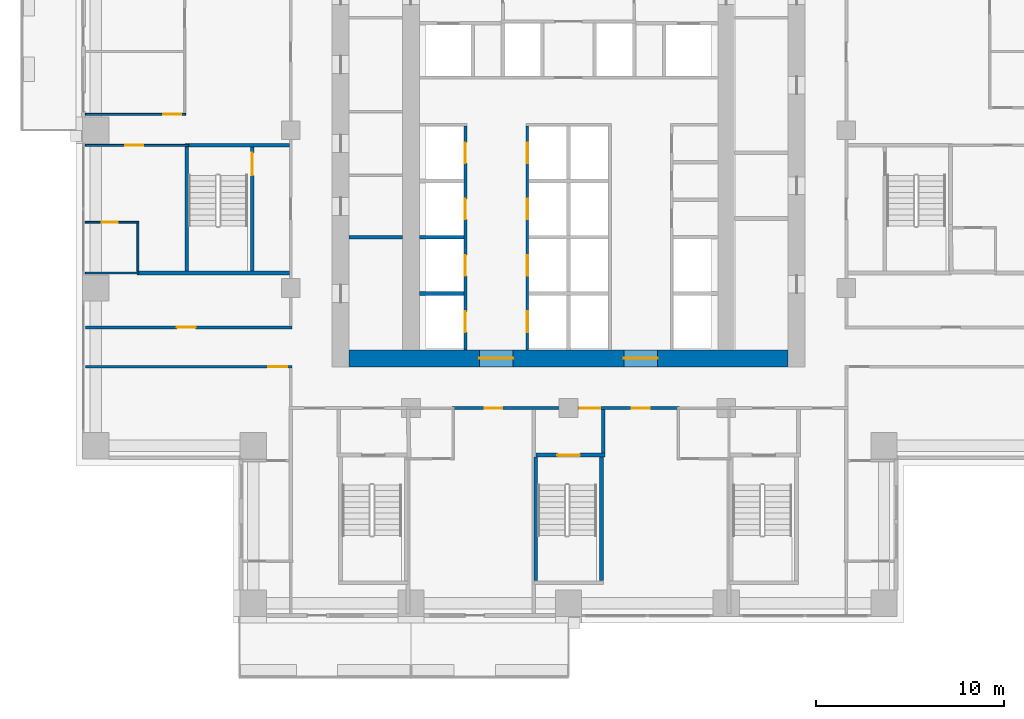
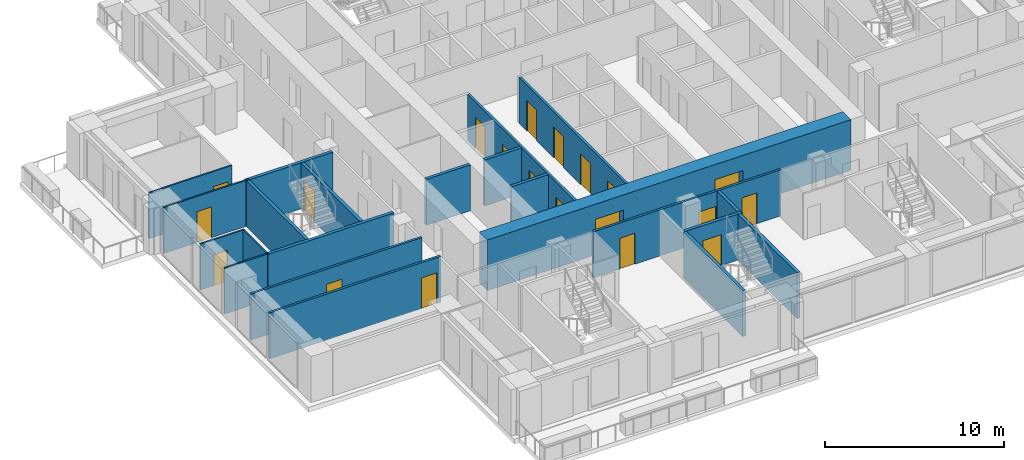
# One storey, part 7 of 16: 22 walls, 20 doors, 20 openings.
"""IFC4 building model written with IfcOpenShell, lengths in metres."""

import ifcopenshell
import ifcopenshell.guid

model = None  # the IFC model being written
_history = None  # IfcOwnerHistory: only IFC2X3 demands one
_inside = {}  # id of a spatial element -> (the spatial element, [elements in it])
_under = {}  # id of a project, library or spatial element -> (it, [spatial elements below it])
_declared = {}  # id of a project -> (the project, [libraries it declares])
_typed = {}  # id of a type object -> (the type object, [elements of that type])
_made_of = {}  # id of a material, layer set ... -> (it, [elements and type objects made of it])


def new_model(schema):
    """Start an empty IFC model of exactly this schema.

    Asked for "IFC4X3", IfcOpenShell would pick the latest addendum, in which some entities
    have other attributes; the version numbers below select the first issue.
    IFC2X3 requires an IfcOwnerHistory on every rooted entity: one is made here for all.
    """
    global model, _history
    if schema == "IFC4X3":
        model = ifcopenshell.file(schema_version=(4, 3, 0, 0))
    else:
        model = ifcopenshell.file(schema=schema)
    _inside.clear()
    _under.clear()
    _declared.clear()
    _typed.clear()
    _made_of.clear()
    _history = None
    if model.schema == "IFC2X3":
        org = make("IfcOrganization", Name="unknown")
        user = make(
            "IfcPersonAndOrganization",
            ThePerson=make("IfcPerson", FamilyName="unknown"),
            TheOrganization=org,
        )
        app = make(
            "IfcApplication",
            ApplicationDeveloper=org,
            Version="unknown",
            ApplicationFullName="unknown",
            ApplicationIdentifier="unknown",
        )
        _history = make(
            "IfcOwnerHistory",
            OwningUser=user,
            OwningApplication=app,
            ChangeAction="ADDED",
            CreationDate=0,
        )
    return model


def make(cls, **values):
    """One entity of the class cls with the attributes given. An attribute that is None is left unset."""
    return model.create_entity(
        cls, **{name: value for name, value in values.items() if value is not None}
    )


def rooted(cls, **values):
    """An entity with a GlobalId (a new one), such as an element, a storey or a relation."""
    return make(cls, GlobalId=ifcopenshell.guid.new(), OwnerHistory=_history, **values)


def si_unit(unit_type, name, prefix=None):
    """IfcSIUnit, for example si_unit("LENGTHUNIT", "METRE", prefix="MILLI")."""
    return make("IfcSIUnit", UnitType=unit_type, Prefix=prefix, Name=name)


def assignment(units):
    """IfcUnitAssignment: the units of a project."""
    return None if units is None else make("IfcUnitAssignment", Units=units)


def point(xyz):
    """IfcCartesianPoint."""
    return None if xyz is None else make("IfcCartesianPoint", Coordinates=xyz)


def direction(xyz):
    """IfcDirection."""
    return None if xyz is None else make("IfcDirection", DirectionRatios=xyz)


def frame(location, z_axis=None, x_axis=None):
    """IfcAxis2Placement3D, a coordinate frame: its origin and axes. An axis left out is left unset."""
    return make(
        "IfcAxis2Placement3D",
        Location=point(location),
        Axis=direction(z_axis),
        RefDirection=direction(x_axis),
    )


def frame_2d(location, x_axis=None):
    """IfcAxis2Placement2D, a coordinate frame in the plane: its origin and x axis."""
    return make(
        "IfcAxis2Placement2D", Location=point(location), RefDirection=direction(x_axis)
    )


def origin():
    """The frame at (0, 0, 0) with its axes left unset."""
    return frame((0.0, 0.0, 0.0))


def place(relative_to, where):
    """IfcLocalPlacement: puts the frame where relative to a parent placement (None: the world)."""
    return make(
        "IfcLocalPlacement", PlacementRelTo=relative_to, RelativePlacement=where
    )


def context(
    kind, dimensions, precision=None, world=None, true_north=None, identifier=None
):
    """IfcGeometricRepresentationContext, for example the 3D "Model" context."""
    return make(
        "IfcGeometricRepresentationContext",
        ContextIdentifier=identifier,
        ContextType=kind,
        CoordinateSpaceDimension=dimensions,
        Precision=precision,
        WorldCoordinateSystem=world,
        TrueNorth=true_north,
    )


def subcontext(parent, identifier, kind, view, scale=None):
    """IfcGeometricRepresentationSubContext, for example "Body" below "Model"."""
    return make(
        "IfcGeometricRepresentationSubContext",
        ContextIdentifier=identifier,
        ContextType=kind,
        ParentContext=parent,
        TargetScale=scale,
        TargetView=view,
    )


def project(units=None, contexts=None):
    """IfcProject with its units and contexts."""
    return rooted(
        "IfcProject",
        Name="project",
        RepresentationContexts=contexts,
        UnitsInContext=assignment(units),
    )


def spatial(cls, under=None, at=None, **own):
    """A site, building, storey or space (cls), placed at a placement, below another one or the project."""
    s = rooted(cls, ObjectPlacement=at, **own)
    if under is not None:
        _under.setdefault(under.id(), (under, []))[1].append(s)
    return s


def profile(cls, at=None, kind="AREA", **sizes):
    """A parametric profile (cls). Its sizes go by their IFC names, for example OverallWidth=200.0."""
    return make(cls, ProfileType=kind, Position=at, **sizes)


def rectangle(**sizes):
    """IfcRectangleProfileDef."""
    return profile("IfcRectangleProfileDef", **sizes)


def extrude(swept, where, along, depth):
    """IfcExtrudedAreaSolid: the profile swept, set in the frame where, extruded along a direction by depth."""
    return make(
        "IfcExtrudedAreaSolid",
        SweptArea=swept,
        Position=where,
        ExtrudedDirection=direction(along),
        Depth=depth,
    )


def shape(context_of_items, identifier, shape_type, items):
    """IfcShapeRepresentation: the items that make up one representation, for example the "Body"."""
    return make(
        "IfcShapeRepresentation",
        ContextOfItems=context_of_items,
        RepresentationIdentifier=identifier,
        RepresentationType=shape_type,
        Items=items,
    )


def material(Name=None, Category=None):
    """IfcMaterial."""
    return make("IfcMaterial", Name=Name, Category=Category)


def layer(
    of_material, thickness, ventilated=None, Name=None, Category=None, Priority=None
):
    """IfcMaterialLayer: one layer of a wall or slab, of a material (None: an air gap)."""
    return make(
        "IfcMaterialLayer",
        Material=of_material,
        LayerThickness=thickness,
        IsVentilated=ventilated,
        Name=Name,
        Category=Category,
        Priority=Priority,
    )


def layer_set(layers, Name=None):
    """IfcMaterialLayerSet."""
    return make("IfcMaterialLayerSet", MaterialLayers=layers, LayerSetName=Name)


def made_of(thing, what):
    """Note that an element or type object is made of a material, layer set ...; save() writes the relation."""
    if what is not None:
        _made_of.setdefault(what.id(), (what, []))[1].append(thing)
    return thing


def type_object(cls, material=None, **own):
    """A type object (cls), such as IfcWallType, which elements share."""
    return made_of(rooted(cls, **own), material)


def element(
    cls,
    number,
    at=None,
    inside=None,
    cuts=None,
    type_object=None,
    material=None,
    context=None,
    identifier="Body",
    shape_type=None,
    held_by="IfcProductDefinitionShape",
    body=None,
    shapes=None,
    **own,
):
    """One element of the class cls, such as IfcWall. Its Tag is "e" and its number.

    at: its placement. inside: the storey or other place that contains it. cuts: it is an
    opening in that element (IfcRelVoidsElement). A single representation is given by context,
    identifier, shape_type and body (its items); several are given by shapes. held_by: the class
    of the entity that holds the representations. save() writes the other relations.
    """
    e = rooted(cls, Tag="e%d" % number, ObjectPlacement=at, **own)
    if body is not None:
        shapes = [shape(context, identifier, shape_type, body)]
    if shapes is not None:
        e.Representation = make(held_by, Representations=shapes)
    if inside is not None:
        _inside.setdefault(inside.id(), (inside, []))[1].append(e)
    if cuts is not None:
        rooted(
            "IfcRelVoidsElement", RelatingBuildingElement=cuts, RelatedOpeningElement=e
        )
    if type_object is not None:
        _typed.setdefault(type_object.id(), (type_object, []))[1].append(e)
    return made_of(e, material)


def fill(opening, filler):
    """IfcRelFillsElement: the door or window that sits in an opening."""
    return rooted(
        "IfcRelFillsElement",
        RelatingOpeningElement=opening,
        RelatedBuildingElement=filler,
    )


def aggregate(whole, parts):
    """IfcRelAggregates: a whole, such as a stair, and the parts it consists of."""
    return rooted("IfcRelAggregates", RelatingObject=whole, RelatedObjects=parts)


def save(model, path):
    """Write the relations noted so far, then the file.

    IfcRelAggregates (storeys below a building ...), IfcRelContainedInSpatialStructure (elements
    in a storey), IfcRelDefinesByType, IfcRelAssociatesMaterial and IfcRelDeclares: one each for
    every whole, place, type object, material and project.
    """
    for whole, parts in _under.values():
        aggregate(whole, parts)
    for where, things in _inside.values():
        rooted(
            "IfcRelContainedInSpatialStructure",
            RelatedElements=things,
            RelatingStructure=where,
        )
    for kind, things in _typed.values():
        rooted("IfcRelDefinesByType", RelatedObjects=things, RelatingType=kind)
    for what, things in _made_of.values():
        rooted("IfcRelAssociatesMaterial", RelatedObjects=things, RelatingMaterial=what)
    for by, libraries in _declared.values():
        rooted("IfcRelDeclares", RelatingContext=by, RelatedDefinitions=libraries)
    model.write(path)


model = new_model("IFC4")

# Units and contexts
model_context = context("Model", 3, precision=1e-05, world=origin(), true_north=direction((0.0, 1.0)))
body_context = subcontext(model_context, "Body", "Model", "MODEL_VIEW")
ifc_project = project(units=[si_unit("LENGTHUNIT", "METRE"), si_unit("AREAUNIT", "SQUARE_METRE"), si_unit("VOLUMEUNIT", "CUBIC_METRE"), si_unit("PLANEANGLEUNIT", "RADIAN"), si_unit("MASSUNIT", "GRAM", prefix="KILO")], contexts=[model_context])

# Site, building, storey
site_placement = place(None, origin())
site = spatial("IfcSite", under=ifc_project, at=site_placement, CompositionType="ELEMENT")
building_placement = place(site_placement, origin())
building = spatial("IfcBuilding", under=site, at=building_placement, Name="Vermilion Ogive Tower", CompositionType="ELEMENT")
storey_placement = place(building_placement, frame((0.0, 0.0, 44.85009765625)))
storey = spatial("IfcBuildingStorey", under=building, at=storey_placement, Name="L09", CompositionType="ELEMENT", Elevation=44.85009765625)

# Wall, openings, doors
ifc_material_1 = material(Name="Concrete B80", Category="concrete")
ifc_layer_1 = layer(ifc_material_1, 0.89990234375)
ifc_layer_set_1 = layer_set([ifc_layer_1], Name="Core wall 900 B80")
wall_type_1 = type_object("IfcWallType", Name="Core wall 900 B80", PredefinedType="SHEAR", material=ifc_layer_set_1)
wall_1_placement = place(storey_placement, frame((-11.699951171875, -7.949951171875, -0.320068359375), z_axis=(0.0, 0.0, 1.0), x_axis=(1.0, 0.0, 0.0)))
wall_1 = element("IfcWall", 1, at=wall_1_placement, inside=storey, type_object=wall_type_1, Name="L09-CORE-S", PredefinedType="SHEAR", context=body_context, shape_type="SweptSolid", body=[
    extrude(rectangle(XDim=23.39990234375, YDim=0.89990234375, at=frame_2d((11.699951171875, 0.0))), origin(), (0.0, 0.0, 1.0), 3.449951171875),
])
opening_1_placement = place(wall_1_placement, frame((6.949951171875, 0.0, 0.320068359375)))
opening_1 = element("IfcOpeningElement", 2, at=opening_1_placement, cuts=wall_1, Name="Opening DAH003", PredefinedType="OPENING", context=body_context, shape_type="SweptSolid", body=[
    extrude(rectangle(XDim=1.800048828125, YDim=2.10009765625, at=frame_2d((0.89990234375, 1.050048828125))), frame((0.0, 0.4599609375, 0.0), z_axis=(0.0, -1.0, 0.0), x_axis=(1.0, 0.0, 0.0)), (0.0, 0.0, 1.0), 0.919921875),
])
opening_2_placement = place(wall_1_placement, frame((14.64990234375, 0.0, 0.320068359375)))
opening_2 = element("IfcOpeningElement", 3, at=opening_2_placement, cuts=wall_1, Name="Opening DAH004", PredefinedType="OPENING", context=body_context, shape_type="SweptSolid", body=[
    extrude(rectangle(XDim=1.800048828125, YDim=2.10009765625, at=frame_2d((0.89990234375, 1.050048828125))), frame((0.0, 0.4599609375, 0.0), z_axis=(0.0, -1.0, 0.0), x_axis=(1.0, 0.0, 0.0)), (0.0, 0.0, 1.0), 0.919921875),
])
ifc_material_2 = material(Name="Timber door leaf", Category="wood")
door_type_1 = type_object("IfcDoorType", Name="Core entry door 1800 x 2100 FD60S", OperationType="DOUBLE_DOOR_SINGLE_SWING", PredefinedType="DOOR", material=ifc_material_2)
door_1_placement = place(opening_1_placement, origin())
door_1 = element("IfcDoor", 4, at=door_1_placement, inside=storey, type_object=door_type_1, Name="L09-CK-XD1", OperationType="SINGLE_SWING_LEFT", OverallHeight=2.10009765625, OverallWidth=1.800048828125, PredefinedType="DOOR", context=body_context, shape_type="SweptSolid", body=[
    extrude(rectangle(XDim=1.800048828125, YDim=2.10009765625, at=frame_2d((0.89990234375, 1.050048828125))), frame((0.0, 0.02490234375, 0.0), z_axis=(0.0, -1.0, 0.0), x_axis=(1.0, 0.0, 0.0)), (0.0, 0.0, 1.0), 0.050048828125),
])
fill(opening_1, door_1)
door_2_placement = place(opening_2_placement, origin())
door_2 = element("IfcDoor", 5, at=door_2_placement, inside=storey, type_object=door_type_1, Name="L09-CK-XD2", OperationType="SINGLE_SWING_LEFT", OverallHeight=2.10009765625, OverallWidth=1.800048828125, PredefinedType="DOOR", context=body_context, shape_type="SweptSolid", body=[
    extrude(rectangle(XDim=1.800048828125, YDim=2.10009765625, at=frame_2d((0.89990234375, 1.050048828125))), frame((0.0, 0.02490234375, 0.0), z_axis=(0.0, -1.0, 0.0), x_axis=(1.0, 0.0, 0.0)), (0.0, 0.0, 1.0), 0.050048828125),
])
fill(opening_2, door_2)

# Wall
ifc_material_3 = material(Name="Gypsum board partition on steel studs", Category="steel")
ifc_layer_2 = layer(ifc_material_3, 0.10009765625)
ifc_layer_set_2 = layer_set([ifc_layer_2], Name="Partition 100 bath")
wall_type_2 = type_object("IfcWallType", Name="Partition 100 bath", PredefinedType="PARTITIONING", material=ifc_layer_set_2)
wall_2_placement = place(storey_placement, frame((-25.75, -3.39990234375, 0.0), z_axis=(0.0, 0.0, 1.0), x_axis=(1.0, 0.0, 0.0)))
element("IfcWall", 6, at=wall_2_placement, inside=storey, type_object=wall_type_2, Name="L09-W-W022", PredefinedType="PARTITIONING", context=body_context, shape_type="SweptSolid", body=[
    extrude(rectangle(XDim=2.85009765625, YDim=0.10009765625, at=frame_2d((1.425048828125, 0.0))), origin(), (0.0, 0.0, 1.0), 3.1298828125),
])

# Wall, opening, door
wall_3_placement = place(storey_placement, frame((-25.75, -0.699951171875, 0.0), z_axis=(0.0, 0.0, 1.0), x_axis=(1.0, 0.0, 0.0)))
wall_3 = element("IfcWall", 7, at=wall_3_placement, inside=storey, type_object=wall_type_2, Name="L09-W-W028", PredefinedType="PARTITIONING", context=body_context, shape_type="SweptSolid", body=[
    extrude(rectangle(XDim=2.85009765625, YDim=0.10009765625, at=frame_2d((1.425048828125, 0.0))), origin(), (0.0, 0.0, 1.0), 3.1298828125),
])
opening_3_placement = place(wall_3_placement, frame((0.875, 0.0, 0.0)))
opening_3 = element("IfcOpeningElement", 8, at=opening_3_placement, cuts=wall_3, Name="Opening D1G2008", PredefinedType="OPENING", context=body_context, shape_type="SweptSolid", body=[
    extrude(rectangle(XDim=0.85009765625, YDim=2.10009765625, at=frame_2d((0.425048828125, 1.050048828125))), frame((0.0, 0.06005859375, 0.0), z_axis=(0.0, -1.0, 0.0), x_axis=(1.0, 0.0, 0.0)), (0.0, 0.0, 1.0), 0.1201171875),
])
ifc_material_4 = material(Name="Timber door leaf", Category="wood")
door_type_2 = type_object("IfcDoorType", Name="Bath door 850 x 2100 FD30", OperationType="SINGLE_SWING_LEFT", PredefinedType="DOOR", material=ifc_material_4)
door_3_placement = place(opening_3_placement, origin())
door_3 = element("IfcDoor", 9, at=door_3_placement, inside=storey, type_object=door_type_2, Name="L09-D-D008", OperationType="SINGLE_SWING_RIGHT", OverallHeight=2.10009765625, OverallWidth=0.85009765625, PredefinedType="DOOR", context=body_context, shape_type="SweptSolid", body=[
    extrude(rectangle(XDim=0.85009765625, YDim=2.10009765625, at=frame_2d((0.425048828125, 1.050048828125))), frame((0.0, 0.02490234375, 0.0), z_axis=(0.0, -1.0, 0.0), x_axis=(1.0, 0.0, 0.0)), (0.0, 0.0, 1.0), 0.050048828125),
])
fill(opening_3, door_3)

# Wall
wall_4_placement = place(storey_placement, frame((-22.949951171875, -3.300048828125, 0.0), z_axis=(0.0, 0.0, 1.0), x_axis=(0.0, 1.0, 0.0)))
element("IfcWall", 10, at=wall_4_placement, inside=storey, type_object=wall_type_2, Name="L09-W-W041", PredefinedType="PARTITIONING", context=body_context, shape_type="SweptSolid", body=[
    extrude(rectangle(XDim=2.550048828125, YDim=0.10009765625, at=frame_2d((1.27490234375, 0.0))), origin(), (0.0, 0.0, 1.0), 3.1298828125),
])

# Wall, opening, door
ifc_material_5 = material(Name="Gypsum board partition on steel studs", Category="steel")
ifc_layer_3 = layer(ifc_material_5, 0.10009765625)
ifc_layer_set_3 = layer_set([ifc_layer_3], Name="Partition 100 inner")
wall_type_3 = type_object("IfcWallType", Name="Partition 100 inner", PredefinedType="PARTITIONING", material=ifc_layer_set_3)
wall_5_placement = place(storey_placement, frame((-25.75, 3.39990234375, 0.0), z_axis=(0.0, 0.0, 1.0), x_axis=(1.0, 0.0, 0.0)))
wall_5 = element("IfcWall", 11, at=wall_5_placement, inside=storey, type_object=wall_type_3, Name="L09-W-W029", PredefinedType="PARTITIONING", context=body_context, shape_type="SweptSolid", body=[
    extrude(rectangle(XDim=5.5, YDim=0.10009765625, at=frame_2d((2.75, 0.0))), origin(), (0.0, 0.0, 1.0), 3.1298828125),
])
opening_4_placement = place(wall_5_placement, frame((2.125, 0.0, 0.0)))
opening_4 = element("IfcOpeningElement", 12, at=opening_4_placement, cuts=wall_5, Name="Opening D1G2007", PredefinedType="OPENING", context=body_context, shape_type="SweptSolid", body=[
    extrude(rectangle(XDim=0.949951171875, YDim=2.10009765625, at=frame_2d((0.47509765625, 1.050048828125))), frame((0.0, 0.06005859375, 0.0), z_axis=(0.0, -1.0, 0.0), x_axis=(1.0, 0.0, 0.0)), (0.0, 0.0, 1.0), 0.1201171875),
])
ifc_material_6 = material(Name="Timber door leaf", Category="wood")
door_type_3 = type_object("IfcDoorType", Name="Inner door 950 x 2100 FD30", OperationType="SINGLE_SWING_LEFT", PredefinedType="DOOR", material=ifc_material_6)
door_4_placement = place(opening_4_placement, origin())
door_4 = element("IfcDoor", 13, at=door_4_placement, inside=storey, type_object=door_type_3, Name="L09-D-D007", OperationType="SINGLE_SWING_LEFT", OverallHeight=2.10009765625, OverallWidth=0.949951171875, PredefinedType="DOOR", context=body_context, shape_type="SweptSolid", body=[
    extrude(rectangle(XDim=0.949951171875, YDim=2.10009765625, at=frame_2d((0.47509765625, 1.050048828125))), frame((0.0, 0.02490234375, 0.0), z_axis=(0.0, -1.0, 0.0), x_axis=(1.0, 0.0, 0.0)), (0.0, 0.0, 1.0), 0.050048828125),
])
fill(opening_4, door_4)

wall_6_placement = place(storey_placement, frame((-25.75, 5.0498046875, 0.0), z_axis=(0.0, 0.0, 1.0), x_axis=(1.0, 0.0, 0.0)))
wall_6 = element("IfcWall", 14, at=wall_6_placement, inside=storey, type_object=wall_type_3, Name="L09-W-W033", PredefinedType="PARTITIONING", context=body_context, shape_type="SweptSolid", body=[
    extrude(rectangle(XDim=5.35009765625, YDim=0.10009765625, at=frame_2d((2.675048828125, 0.0))), origin(), (0.0, 0.0, 1.0), 3.1298828125),
])
opening_5_placement = place(wall_6_placement, frame((4.14990234375, 0.0, 0.0)))
opening_5 = element("IfcOpeningElement", 15, at=opening_5_placement, cuts=wall_6, Name="Opening D1G2004", PredefinedType="OPENING", context=body_context, shape_type="SweptSolid", body=[
    extrude(rectangle(XDim=0.949951171875, YDim=2.10009765625, at=frame_2d((0.47509765625, 1.050048828125))), frame((0.0, 0.06005859375, 0.0), z_axis=(0.0, -1.0, 0.0), x_axis=(1.0, 0.0, 0.0)), (0.0, 0.0, 1.0), 0.1201171875),
])
door_5_placement = place(opening_5_placement, origin())
door_5 = element("IfcDoor", 16, at=door_5_placement, inside=storey, type_object=door_type_3, Name="L09-D-D004", OperationType="SINGLE_SWING_LEFT", OverallHeight=2.10009765625, OverallWidth=0.949951171875, PredefinedType="DOOR", context=body_context, shape_type="SweptSolid", body=[
    extrude(rectangle(XDim=0.949951171875, YDim=2.10009765625, at=frame_2d((0.47509765625, 1.050048828125))), frame((0.0, 0.02490234375, 0.0), z_axis=(0.0, -1.0, 0.0), x_axis=(1.0, 0.0, 0.0)), (0.0, 0.0, 1.0), 0.050048828125),
])
fill(opening_5, door_5)

# Wall, openings, doors
ifc_material_7 = material(Name="Gypsum board partition on steel studs", Category="steel")
ifc_layer_4 = layer(ifc_material_7, 0.14990234375)
ifc_layer_set_4 = layer_set([ifc_layer_4], Name="Partition 150 corridor")
wall_type_4 = type_object("IfcWallType", Name="Partition 150 corridor", PredefinedType="PARTITIONING", material=ifc_layer_set_4)
wall_7_placement = place(storey_placement, frame((-6.199951171875, -10.60009765625, 0.0), z_axis=(0.0, 0.0, 1.0), x_axis=(1.0, 0.0, 0.0)))
wall_7 = element("IfcWall", 17, at=wall_7_placement, inside=storey, type_object=wall_type_4, Name="L09-W-W015", PredefinedType="PARTITIONING", context=body_context, shape_type="SweptSolid", body=[
    extrude(rectangle(XDim=12.099853515625, YDim=0.14990234375, at=frame_2d((6.0498046875, 0.0))), origin(), (0.0, 0.0, 1.0), 3.1298828125),
])
opening_6_placement = place(wall_7_placement, frame((1.724853515625, 0.0, 0.0)))
opening_6 = element("IfcOpeningElement", 18, at=opening_6_placement, cuts=wall_7, Name="Opening D1G2011", PredefinedType="OPENING", context=body_context, shape_type="SweptSolid", body=[
    extrude(rectangle(XDim=0.949951171875, YDim=2.10009765625, at=frame_2d((0.47509765625, 1.050048828125))), frame((0.0, 0.0849609375, 0.0), z_axis=(0.0, -1.0, 0.0), x_axis=(1.0, 0.0, 0.0)), (0.0, 0.0, 1.0), 0.169921875),
])
opening_7_placement = place(wall_7_placement, frame((9.574951171875, 0.0, 0.0)))
opening_7 = element("IfcOpeningElement", 19, at=opening_7_placement, cuts=wall_7, Name="Opening D1G2013", PredefinedType="OPENING", context=body_context, shape_type="SweptSolid", body=[
    extrude(rectangle(XDim=0.949951171875, YDim=2.10009765625, at=frame_2d((0.47509765625, 1.050048828125))), frame((0.0, 0.0849609375, 0.0), z_axis=(0.0, -1.0, 0.0), x_axis=(1.0, 0.0, 0.0)), (0.0, 0.0, 1.0), 0.169921875),
])
opening_8_placement = place(wall_7_placement, frame((6.800048828125, 0.0, 0.0)))
opening_8 = element("IfcOpeningElement", 20, at=opening_8_placement, cuts=wall_7, Name="Opening D1G2027", PredefinedType="OPENING", context=body_context, shape_type="SweptSolid", body=[
    extrude(rectangle(XDim=1.10009765625, YDim=2.10009765625, at=frame_2d((0.550048828125, 1.050048828125))), frame((0.0, 0.0849609375, 0.0), z_axis=(0.0, -1.0, 0.0), x_axis=(1.0, 0.0, 0.0)), (0.0, 0.0, 1.0), 0.169921875),
])
ifc_material_8 = material(Name="Timber door leaf", Category="wood")
door_type_4 = type_object("IfcDoorType", Name="Stair door 1100 x 2100 FD60S", OperationType="SINGLE_SWING_LEFT", PredefinedType="DOOR", material=ifc_material_8)
door_6_placement = place(opening_8_placement, origin())
door_6 = element("IfcDoor", 21, at=door_6_placement, inside=storey, type_object=door_type_4, Name="L09-D-D027", OperationType="SINGLE_SWING_RIGHT", OverallHeight=2.10009765625, OverallWidth=1.10009765625, PredefinedType="DOOR", context=body_context, shape_type="SweptSolid", body=[
    extrude(rectangle(XDim=1.10009765625, YDim=2.10009765625, at=frame_2d((0.550048828125, 1.050048828125))), frame((0.0, 0.02490234375, 0.0), z_axis=(0.0, -1.0, 0.0), x_axis=(1.0, 0.0, 0.0)), (0.0, 0.0, 1.0), 0.050048828125),
])
fill(opening_8, door_6)
ifc_material_9 = material(Name="Timber door leaf", Category="wood")
door_type_5 = type_object("IfcDoorType", Name="Unit door 950 x 2100 FD30S", OperationType="SINGLE_SWING_LEFT", PredefinedType="DOOR", material=ifc_material_9)
door_7_placement = place(opening_6_placement, origin())
door_7 = element("IfcDoor", 22, at=door_7_placement, inside=storey, type_object=door_type_5, Name="L09-D-D011", OperationType="SINGLE_SWING_LEFT", OverallHeight=2.10009765625, OverallWidth=0.949951171875, PredefinedType="DOOR", context=body_context, shape_type="SweptSolid", body=[
    extrude(rectangle(XDim=0.949951171875, YDim=2.10009765625, at=frame_2d((0.47509765625, 1.050048828125))), frame((0.0, 0.02490234375, 0.0), z_axis=(0.0, -1.0, 0.0), x_axis=(1.0, 0.0, 0.0)), (0.0, 0.0, 1.0), 0.050048828125),
])
fill(opening_6, door_7)
door_8_placement = place(opening_7_placement, origin())
door_8 = element("IfcDoor", 23, at=door_8_placement, inside=storey, type_object=door_type_5, Name="L09-D-D013", OperationType="SINGLE_SWING_RIGHT", OverallHeight=2.10009765625, OverallWidth=0.949951171875, PredefinedType="DOOR", context=body_context, shape_type="SweptSolid", body=[
    extrude(rectangle(XDim=0.949951171875, YDim=2.10009765625, at=frame_2d((0.47509765625, 1.050048828125))), frame((0.0, 0.02490234375, 0.0), z_axis=(0.0, -1.0, 0.0), x_axis=(1.0, 0.0, 0.0)), (0.0, 0.0, 1.0), 0.050048828125),
])
fill(opening_7, door_8)

# Wall, opening, door
wall_8_placement = place(storey_placement, frame((-25.75, -8.39990234375, 0.0), z_axis=(0.0, 0.0, 1.0), x_axis=(1.0, 0.0, 0.0)))
wall_8 = element("IfcWall", 24, at=wall_8_placement, inside=storey, type_object=wall_type_4, Name="L09-W-W018", PredefinedType="PARTITIONING", context=body_context, shape_type="SweptSolid", body=[
    extrude(rectangle(XDim=11.02490234375, YDim=0.14990234375, at=frame_2d((5.512451171875, 0.0))), origin(), (0.0, 0.0, 1.0), 3.1298828125),
])
opening_9_placement = place(wall_8_placement, frame((9.75, 0.0, 0.0)))
opening_9 = element("IfcOpeningElement", 25, at=opening_9_placement, cuts=wall_8, Name="Opening D1G2001", PredefinedType="OPENING", context=body_context, shape_type="SweptSolid", body=[
    extrude(rectangle(XDim=1.0, YDim=2.10009765625, at=frame_2d((0.5, 1.050048828125))), frame((0.0, 0.0849609375, 0.0), z_axis=(0.0, -1.0, 0.0), x_axis=(1.0, 0.0, 0.0)), (0.0, 0.0, 1.0), 0.169921875),
])
ifc_material_10 = material(Name="Timber door leaf", Category="wood")
door_type_6 = type_object("IfcDoorType", Name="Unit door 1000 x 2100 FD30S", OperationType="SINGLE_SWING_LEFT", PredefinedType="DOOR", material=ifc_material_10)
door_9_placement = place(opening_9_placement, origin())
door_9 = element("IfcDoor", 26, at=door_9_placement, inside=storey, type_object=door_type_6, Name="L09-D-D001", OperationType="SINGLE_SWING_RIGHT", OverallHeight=2.10009765625, OverallWidth=1.0, PredefinedType="DOOR", context=body_context, shape_type="SweptSolid", body=[
    extrude(rectangle(XDim=1.0, YDim=2.10009765625, at=frame_2d((0.5, 1.050048828125))), frame((0.0, 0.02490234375, 0.0), z_axis=(0.0, -1.0, 0.0), x_axis=(1.0, 0.0, 0.0)), (0.0, 0.0, 1.0), 0.050048828125),
])
fill(opening_9, door_9)

wall_9_placement = place(storey_placement, frame((-25.75, -6.300048828125, 0.0), z_axis=(0.0, 0.0, 1.0), x_axis=(1.0, 0.0, 0.0)))
wall_9 = element("IfcWall", 27, at=wall_9_placement, inside=storey, type_object=wall_type_4, Name="L09-W-W020", PredefinedType="PARTITIONING", context=body_context, shape_type="SweptSolid", body=[
    extrude(rectangle(XDim=11.02490234375, YDim=0.14990234375, at=frame_2d((5.512451171875, 0.0))), origin(), (0.0, 0.0, 1.0), 3.1298828125),
])
opening_10_placement = place(wall_9_placement, frame((4.875, 0.0, 0.0)))
opening_10 = element("IfcOpeningElement", 28, at=opening_10_placement, cuts=wall_9, Name="Opening D1G2037", PredefinedType="OPENING", context=body_context, shape_type="SweptSolid", body=[
    extrude(rectangle(XDim=1.0, YDim=2.10009765625, at=frame_2d((0.5, 1.050048828125))), frame((0.0, 0.0849609375, 0.0), z_axis=(0.0, -1.0, 0.0), x_axis=(1.0, 0.0, 0.0)), (0.0, 0.0, 1.0), 0.169921875),
])
door_10_placement = place(opening_10_placement, origin())
door_10 = element("IfcDoor", 29, at=door_10_placement, inside=storey, type_object=door_type_6, Name="L09-D-D037", OperationType="SINGLE_SWING_RIGHT", OverallHeight=2.10009765625, OverallWidth=1.0, PredefinedType="DOOR", context=body_context, shape_type="SweptSolid", body=[
    extrude(rectangle(XDim=1.0, YDim=2.10009765625, at=frame_2d((0.5, 1.050048828125))), frame((0.0, 0.02490234375, 0.0), z_axis=(0.0, -1.0, 0.0), x_axis=(1.0, 0.0, 0.0)), (0.0, 0.0, 1.0), 0.050048828125),
])
fill(opening_10, door_10)

# Wall, openings, doors
wall_10_placement = place(storey_placement, frame((-5.5, -7.4990234375, 0.0), z_axis=(0.0, 0.0, 1.0), x_axis=(0.0, 1.0, 0.0)))
wall_10 = element("IfcWall", 30, at=wall_10_placement, inside=storey, type_object=wall_type_4, Name="L09-CK-W-W023", PredefinedType="PARTITIONING", context=body_context, shape_type="SweptSolid", body=[
    extrude(rectangle(XDim=11.924072265625, YDim=0.14990234375, at=frame_2d((5.9619140625, 0.0))), origin(), (0.0, 0.0, 1.0), 3.1298828125),
])
opening_11_placement = place(wall_10_placement, frame((0.948974609375, 0.0, 0.0)))
opening_11 = element("IfcOpeningElement", 31, at=opening_11_placement, cuts=wall_10, Name="Opening DAA034", PredefinedType="OPENING", context=body_context, shape_type="SweptSolid", body=[
    extrude(rectangle(XDim=1.10009765625, YDim=2.10009765625, at=frame_2d((0.550048828125, 1.050048828125))), frame((0.0, 0.0849609375, 0.0), z_axis=(0.0, -1.0, 0.0), x_axis=(1.0, 0.0, 0.0)), (0.0, 0.0, 1.0), 0.169921875),
])
opening_12_placement = place(wall_10_placement, frame((3.948974609375, 0.0, 0.0)))
opening_12 = element("IfcOpeningElement", 32, at=opening_12_placement, cuts=wall_10, Name="Opening DAA037", PredefinedType="OPENING", context=body_context, shape_type="SweptSolid", body=[
    extrude(rectangle(XDim=1.10009765625, YDim=2.10009765625, at=frame_2d((0.550048828125, 1.050048828125))), frame((0.0, 0.0849609375, 0.0), z_axis=(0.0, -1.0, 0.0), x_axis=(1.0, 0.0, 0.0)), (0.0, 0.0, 1.0), 0.169921875),
])
opening_13_placement = place(wall_10_placement, frame((6.948974609375, 0.0, 0.0)))
opening_13 = element("IfcOpeningElement", 33, at=opening_13_placement, cuts=wall_10, Name="Opening DAA038", PredefinedType="OPENING", context=body_context, shape_type="SweptSolid", body=[
    extrude(rectangle(XDim=1.10009765625, YDim=2.10009765625, at=frame_2d((0.550048828125, 1.050048828125))), frame((0.0, 0.0849609375, 0.0), z_axis=(0.0, -1.0, 0.0), x_axis=(1.0, 0.0, 0.0)), (0.0, 0.0, 1.0), 0.169921875),
])
opening_14_placement = place(wall_10_placement, frame((9.948974609375, 0.0, 0.0)))
opening_14 = element("IfcOpeningElement", 34, at=opening_14_placement, cuts=wall_10, Name="Opening DAA039", PredefinedType="OPENING", context=body_context, shape_type="SweptSolid", body=[
    extrude(rectangle(XDim=1.10009765625, YDim=2.10009765625, at=frame_2d((0.550048828125, 1.050048828125))), frame((0.0, 0.0849609375, 0.0), z_axis=(0.0, -1.0, 0.0), x_axis=(1.0, 0.0, 0.0)), (0.0, 0.0, 1.0), 0.169921875),
])
ifc_material_11 = material(Name="Stainless steel", Category="steel")
door_type_7 = type_object("IfcDoorType", Name="Lift landing door 1100 x 2100", OperationType="SLIDING_TO_LEFT", PredefinedType="DOOR", material=ifc_material_11)
door_11_placement = place(opening_11_placement, origin())
door_11 = element("IfcDoor", 35, at=door_11_placement, inside=storey, type_object=door_type_7, Name="L09-CK-D-D001", OperationType="SLIDING_TO_RIGHT", OverallHeight=2.10009765625, OverallWidth=1.10009765625, PredefinedType="DOOR", context=body_context, shape_type="SweptSolid", body=[
    extrude(rectangle(XDim=1.10009765625, YDim=2.10009765625, at=frame_2d((0.550048828125, 1.050048828125))), frame((0.0, 0.02490234375, 0.0), z_axis=(0.0, -1.0, 0.0), x_axis=(1.0, 0.0, 0.0)), (0.0, 0.0, 1.0), 0.050048828125),
])
fill(opening_11, door_11)
door_12_placement = place(opening_12_placement, origin())
door_12 = element("IfcDoor", 36, at=door_12_placement, inside=storey, type_object=door_type_7, Name="L09-CK-D-D002", OperationType="SLIDING_TO_RIGHT", OverallHeight=2.10009765625, OverallWidth=1.10009765625, PredefinedType="DOOR", context=body_context, shape_type="SweptSolid", body=[
    extrude(rectangle(XDim=1.10009765625, YDim=2.10009765625, at=frame_2d((0.550048828125, 1.050048828125))), frame((0.0, 0.02490234375, 0.0), z_axis=(0.0, -1.0, 0.0), x_axis=(1.0, 0.0, 0.0)), (0.0, 0.0, 1.0), 0.050048828125),
])
fill(opening_12, door_12)
door_13_placement = place(opening_13_placement, origin())
door_13 = element("IfcDoor", 37, at=door_13_placement, inside=storey, type_object=door_type_7, Name="L09-CK-D-D003", OperationType="SLIDING_TO_RIGHT", OverallHeight=2.10009765625, OverallWidth=1.10009765625, PredefinedType="DOOR", context=body_context, shape_type="SweptSolid", body=[
    extrude(rectangle(XDim=1.10009765625, YDim=2.10009765625, at=frame_2d((0.550048828125, 1.050048828125))), frame((0.0, 0.02490234375, 0.0), z_axis=(0.0, -1.0, 0.0), x_axis=(1.0, 0.0, 0.0)), (0.0, 0.0, 1.0), 0.050048828125),
])
fill(opening_13, door_13)
door_14_placement = place(opening_14_placement, origin())
door_14 = element("IfcDoor", 38, at=door_14_placement, inside=storey, type_object=door_type_7, Name="L09-CK-D-D004", OperationType="SLIDING_TO_RIGHT", OverallHeight=2.10009765625, OverallWidth=1.10009765625, PredefinedType="DOOR", context=body_context, shape_type="SweptSolid", body=[
    extrude(rectangle(XDim=1.10009765625, YDim=2.10009765625, at=frame_2d((0.550048828125, 1.050048828125))), frame((0.0, 0.02490234375, 0.0), z_axis=(0.0, -1.0, 0.0), x_axis=(1.0, 0.0, 0.0)), (0.0, 0.0, 1.0), 0.050048828125),
])
fill(opening_14, door_14)

wall_11_placement = place(storey_placement, frame((-2.199951171875, -7.4990234375, 0.0), z_axis=(0.0, 0.0, 1.0), x_axis=(0.0, 1.0, 0.0)))
wall_11 = element("IfcWall", 39, at=wall_11_placement, inside=storey, type_object=wall_type_4, Name="L09-CK-W-W028", PredefinedType="PARTITIONING", context=body_context, shape_type="SweptSolid", body=[
    extrude(rectangle(XDim=11.924072265625, YDim=0.14990234375, at=frame_2d((5.9619140625, 0.0))), origin(), (0.0, 0.0, 1.0), 3.1298828125),
])
opening_15_placement = place(wall_11_placement, frame((0.948974609375, 0.0, 0.0)))
opening_15 = element("IfcOpeningElement", 40, at=opening_15_placement, cuts=wall_11, Name="Opening DAA040", PredefinedType="OPENING", context=body_context, shape_type="SweptSolid", body=[
    extrude(rectangle(XDim=1.10009765625, YDim=2.10009765625, at=frame_2d((0.550048828125, 1.050048828125))), frame((0.0, 0.0849609375, 0.0), z_axis=(0.0, -1.0, 0.0), x_axis=(1.0, 0.0, 0.0)), (0.0, 0.0, 1.0), 0.169921875),
])
opening_16_placement = place(wall_11_placement, frame((3.948974609375, 0.0, 0.0)))
opening_16 = element("IfcOpeningElement", 41, at=opening_16_placement, cuts=wall_11, Name="Opening DAA041", PredefinedType="OPENING", context=body_context, shape_type="SweptSolid", body=[
    extrude(rectangle(XDim=1.10009765625, YDim=2.10009765625, at=frame_2d((0.550048828125, 1.050048828125))), frame((0.0, 0.0849609375, 0.0), z_axis=(0.0, -1.0, 0.0), x_axis=(1.0, 0.0, 0.0)), (0.0, 0.0, 1.0), 0.169921875),
])
opening_17_placement = place(wall_11_placement, frame((6.948974609375, 0.0, 0.0)))
opening_17 = element("IfcOpeningElement", 42, at=opening_17_placement, cuts=wall_11, Name="Opening DAA042", PredefinedType="OPENING", context=body_context, shape_type="SweptSolid", body=[
    extrude(rectangle(XDim=1.10009765625, YDim=2.10009765625, at=frame_2d((0.550048828125, 1.050048828125))), frame((0.0, 0.0849609375, 0.0), z_axis=(0.0, -1.0, 0.0), x_axis=(1.0, 0.0, 0.0)), (0.0, 0.0, 1.0), 0.169921875),
])
opening_18_placement = place(wall_11_placement, frame((9.948974609375, 0.0, 0.0)))
opening_18 = element("IfcOpeningElement", 43, at=opening_18_placement, cuts=wall_11, Name="Opening DAA043", PredefinedType="OPENING", context=body_context, shape_type="SweptSolid", body=[
    extrude(rectangle(XDim=1.10009765625, YDim=2.10009765625, at=frame_2d((0.550048828125, 1.050048828125))), frame((0.0, 0.0849609375, 0.0), z_axis=(0.0, -1.0, 0.0), x_axis=(1.0, 0.0, 0.0)), (0.0, 0.0, 1.0), 0.169921875),
])
door_15_placement = place(opening_15_placement, origin())
door_15 = element("IfcDoor", 44, at=door_15_placement, inside=storey, type_object=door_type_7, Name="L09-CK-D-D005", OperationType="SLIDING_TO_RIGHT", OverallHeight=2.10009765625, OverallWidth=1.10009765625, PredefinedType="DOOR", context=body_context, shape_type="SweptSolid", body=[
    extrude(rectangle(XDim=1.10009765625, YDim=2.10009765625, at=frame_2d((0.550048828125, 1.050048828125))), frame((0.0, 0.02490234375, 0.0), z_axis=(0.0, -1.0, 0.0), x_axis=(1.0, 0.0, 0.0)), (0.0, 0.0, 1.0), 0.050048828125),
])
fill(opening_15, door_15)
door_16_placement = place(opening_16_placement, origin())
door_16 = element("IfcDoor", 45, at=door_16_placement, inside=storey, type_object=door_type_7, Name="L09-CK-D-D006", OperationType="SLIDING_TO_RIGHT", OverallHeight=2.10009765625, OverallWidth=1.10009765625, PredefinedType="DOOR", context=body_context, shape_type="SweptSolid", body=[
    extrude(rectangle(XDim=1.10009765625, YDim=2.10009765625, at=frame_2d((0.550048828125, 1.050048828125))), frame((0.0, 0.02490234375, 0.0), z_axis=(0.0, -1.0, 0.0), x_axis=(1.0, 0.0, 0.0)), (0.0, 0.0, 1.0), 0.050048828125),
])
fill(opening_16, door_16)
door_17_placement = place(opening_17_placement, origin())
door_17 = element("IfcDoor", 46, at=door_17_placement, inside=storey, type_object=door_type_7, Name="L09-CK-D-D007", OperationType="SLIDING_TO_RIGHT", OverallHeight=2.10009765625, OverallWidth=1.10009765625, PredefinedType="DOOR", context=body_context, shape_type="SweptSolid", body=[
    extrude(rectangle(XDim=1.10009765625, YDim=2.10009765625, at=frame_2d((0.550048828125, 1.050048828125))), frame((0.0, 0.02490234375, 0.0), z_axis=(0.0, -1.0, 0.0), x_axis=(1.0, 0.0, 0.0)), (0.0, 0.0, 1.0), 0.050048828125),
])
fill(opening_17, door_17)
door_18_placement = place(opening_18_placement, origin())
door_18 = element("IfcDoor", 47, at=door_18_placement, inside=storey, type_object=door_type_7, Name="L09-CK-D-D008", OperationType="SLIDING_TO_RIGHT", OverallHeight=2.10009765625, OverallWidth=1.10009765625, PredefinedType="DOOR", context=body_context, shape_type="SweptSolid", body=[
    extrude(rectangle(XDim=1.10009765625, YDim=2.10009765625, at=frame_2d((0.550048828125, 1.050048828125))), frame((0.0, 0.02490234375, 0.0), z_axis=(0.0, -1.0, 0.0), x_axis=(1.0, 0.0, 0.0)), (0.0, 0.0, 1.0), 0.050048828125),
])
fill(opening_18, door_18)

# Walls
ifc_material_12 = material(Name="Gypsum board partition on steel studs", Category="steel")
ifc_layer_5 = layer(ifc_material_12, 0.199951171875)
ifc_layer_set_5 = layer_set([ifc_layer_5], Name="Partition 200 party")
wall_type_5 = type_object("IfcWallType", Name="Partition 200 party", PredefinedType="PARTITIONING", material=ifc_layer_set_5)
for number, where, z_axis, x_axis, name in (
    (48, (-7.948974609375, -4.5, 0.0), (0.0, 0.0, 1.0), (1.0, 0.0, 0.0), "L09-CK-W-W001"),
    (49, (-7.948974609375, -1.5, 0.0), (0.0, 0.0, 1.0), (1.0, 0.0, 0.0), "L09-CK-W-W004"),
):
    element("IfcWall", number, at=place(storey_placement, frame(where, z_axis=z_axis, x_axis=x_axis)), inside=storey, type_object=wall_type_5, Name=name, PredefinedType="PARTITIONING", context=body_context, shape_type="SweptSolid", body=[
        extrude(rectangle(XDim=2.3740234375, YDim=0.199951171875, at=frame_2d((1.18701171875, 0.0))), origin(), (0.0, 0.0, 1.0), 3.1298828125),
    ])
wall_12_placement = place(storey_placement, frame((-11.698974609375, -1.5, 0.0), z_axis=(0.0, 0.0, 1.0), x_axis=(1.0, 0.0, 0.0)))
element("IfcWall", 50, at=wall_12_placement, inside=storey, type_object=wall_type_5, Name="L09-CKW-W-W001", PredefinedType="PARTITIONING", context=body_context, shape_type="SweptSolid", body=[
    extrude(rectangle(XDim=2.847900390625, YDim=0.199951171875, at=frame_2d((1.423828125, 0.0))), origin(), (0.0, 0.0, 1.0), 3.1298828125),
])

# Wall, opening, door
ifc_material_13 = material(Name="Concrete B60", Category="concrete")
ifc_layer_6 = layer(ifc_material_13, 0.199951171875)
ifc_layer_set_6 = layer_set([ifc_layer_6], Name="Stair shaft wall 200 Concrete B60")
wall_type_6 = type_object("IfcWallType", Name="Stair shaft wall 200 Concrete B60", PredefinedType="SOLIDWALL", material=ifc_layer_set_6)
wall_13_placement = place(storey_placement, frame((-1.748046875, -13.10009765625, 0.0), z_axis=(0.0, 0.0, 1.0), x_axis=(1.0, 0.0, 0.0)))
wall_13 = element("IfcWall", 51, at=wall_13_placement, inside=storey, type_object=wall_type_6, Name="L09-W-W011", PredefinedType="SOLIDWALL", context=body_context, shape_type="SweptSolid", body=[
    extrude(rectangle(XDim=3.696044921875, YDim=0.199951171875, at=frame_2d((1.84814453125, 0.0))), origin(), (0.0, 0.0, 1.0), 3.1298828125),
])
opening_19_placement = place(wall_13_placement, frame((1.14794921875, 0.0, 0.0)))
opening_19 = element("IfcOpeningElement", 52, at=opening_19_placement, cuts=wall_13, Name="Opening D1G2028", PredefinedType="OPENING", context=body_context, shape_type="SweptSolid", body=[
    extrude(rectangle(XDim=1.199951171875, YDim=2.10009765625, at=frame_2d((0.60009765625, 1.050048828125))), frame((0.0, 0.10986328125, 0.0), z_axis=(0.0, -1.0, 0.0), x_axis=(1.0, 0.0, 0.0)), (0.0, 0.0, 1.0), 0.219970703125),
])
ifc_material_14 = material(Name="Timber door leaf", Category="wood")
door_type_8 = type_object("IfcDoorType", Name="Stair door 1200 x 2100 FD60S", OperationType="SINGLE_SWING_LEFT", PredefinedType="DOOR", material=ifc_material_14)
door_19_placement = place(opening_19_placement, origin())
door_19 = element("IfcDoor", 53, at=door_19_placement, inside=storey, type_object=door_type_8, Name="L09-D-D028", OperationType="SINGLE_SWING_RIGHT", OverallHeight=2.10009765625, OverallWidth=1.199951171875, PredefinedType="DOOR", context=body_context, shape_type="SweptSolid", body=[
    extrude(rectangle(XDim=1.199951171875, YDim=2.10009765625, at=frame_2d((0.60009765625, 1.050048828125))), frame((0.0, 0.02490234375, 0.0), z_axis=(0.0, -1.0, 0.0), x_axis=(1.0, 0.0, 0.0)), (0.0, 0.0, 1.0), 0.050048828125),
])
fill(opening_19, door_19)

# Wall
wall_14_placement = place(storey_placement, frame((-20.449951171875, 3.39990234375, 0.0), z_axis=(0.0, 0.0, 1.0), x_axis=(1.0, 0.0, 0.0)))
element("IfcWall", 54, at=wall_14_placement, inside=storey, type_object=wall_type_6, Name="L09-W-W030", PredefinedType="SOLIDWALL", context=body_context, shape_type="SweptSolid", body=[
    extrude(rectangle(XDim=5.574951171875, YDim=0.199951171875, at=frame_2d((2.78759765625, 0.0))), origin(), (0.0, 0.0, 1.0), 3.1298828125),
])

# Wall, opening, door
wall_15_placement = place(storey_placement, frame((-16.85009765625, -3.300048828125, 0.0), z_axis=(0.0, 0.0, 1.0), x_axis=(0.0, 1.0, 0.0)))
wall_15 = element("IfcWall", 55, at=wall_15_placement, inside=storey, type_object=wall_type_6, Name="L09-W-W044", PredefinedType="SOLIDWALL", context=body_context, shape_type="SweptSolid", body=[
    extrude(rectangle(XDim=6.60009765625, YDim=0.199951171875, at=frame_2d((3.300048828125, 0.0))), origin(), (0.0, 0.0, 1.0), 3.1298828125),
])
opening_20_placement = place(wall_15_placement, frame((5.10009765625, 0.0, 0.0)))
opening_20 = element("IfcOpeningElement", 56, at=opening_20_placement, cuts=wall_15, Name="Opening D1G2034", PredefinedType="OPENING", context=body_context, shape_type="SweptSolid", body=[
    extrude(rectangle(XDim=1.199951171875, YDim=2.10009765625, at=frame_2d((0.60009765625, 1.050048828125))), frame((0.0, 0.10986328125, 0.0), z_axis=(0.0, -1.0, 0.0), x_axis=(1.0, 0.0, 0.0)), (0.0, 0.0, 1.0), 0.219970703125),
])
door_20_placement = place(opening_20_placement, origin())
door_20 = element("IfcDoor", 57, at=door_20_placement, inside=storey, type_object=door_type_8, Name="L09-D-D034", OperationType="SINGLE_SWING_RIGHT", OverallHeight=2.10009765625, OverallWidth=1.199951171875, PredefinedType="DOOR", context=body_context, shape_type="SweptSolid", body=[
    extrude(rectangle(XDim=1.199951171875, YDim=2.10009765625, at=frame_2d((0.60009765625, 1.050048828125))), frame((0.0, 0.02490234375, 0.0), z_axis=(0.0, -1.0, 0.0), x_axis=(1.0, 0.0, 0.0)), (0.0, 0.0, 1.0), 0.050048828125),
])
fill(opening_20, door_20)

# Walls
for number, where, z_axis, x_axis, name in (
    (58, (-1.75, -19.798095703125, 0.0), (0.0, 0.0, 1.0), (0.0, 1.0, 0.0), "L09-W-W056"),
    (59, (1.75, -19.798095703125, 0.0), (0.0, 0.0, 1.0), (0.0, 1.0, 0.0), "L09-W-W057"),
):
    element("IfcWall", number, at=place(storey_placement, frame(where, z_axis=z_axis, x_axis=x_axis)), inside=storey, type_object=wall_type_6, Name=name, PredefinedType="SOLIDWALL", context=body_context, shape_type="SweptSolid", body=[
        extrude(rectangle(XDim=6.59619140625, YDim=0.199951171875, at=frame_2d((3.298095703125, 0.0))), origin(), (0.0, 0.0, 1.0), 3.1298828125),
    ])
wall_16_placement = place(storey_placement, frame((1.85009765625, -12.998046875, 0.0), z_axis=(0.0, 0.0, 1.0), x_axis=(0.0, 1.0, 0.0)))
element("IfcWall", 60, at=wall_16_placement, inside=storey, type_object=wall_type_6, Name="L09-W-W058", PredefinedType="SOLIDWALL", context=body_context, shape_type="SweptSolid", body=[
    extrude(rectangle(XDim=2.322998046875, YDim=0.199951171875, at=frame_2d((1.16162109375, 0.0))), origin(), (0.0, 0.0, 1.0), 3.1298828125),
])
wall_17_placement = place(storey_placement, frame((-20.35009765625, -3.300048828125, 0.0), z_axis=(0.0, 0.0, 1.0), x_axis=(0.0, 1.0, 0.0)))
element("IfcWall", 61, at=wall_17_placement, inside=storey, type_object=wall_type_6, Name="L09-W-W043-A", PredefinedType="SOLIDWALL", context=body_context, shape_type="SweptSolid", body=[
    extrude(rectangle(XDim=6.60009765625, YDim=0.199951171875, at=frame_2d((3.300048828125, 0.0))), origin(), (0.0, 0.0, 1.0), 3.1298828125),
])
wall_18_placement = place(storey_placement, frame((-23.0, -3.39990234375, 0.0), z_axis=(0.0, 0.0, 1.0), x_axis=(1.0, 0.0, 0.0)))
element("IfcWall", 62, at=wall_18_placement, inside=storey, type_object=wall_type_6, Name="L09-W-W023-A", PredefinedType="SOLIDWALL", context=body_context, shape_type="SweptSolid", body=[
    extrude(rectangle(XDim=8.125, YDim=0.199951171875, at=frame_2d((4.0625, 0.0))), origin(), (0.0, 0.0, 1.0), 3.1298828125),
])

save(model, "model.ifc")
